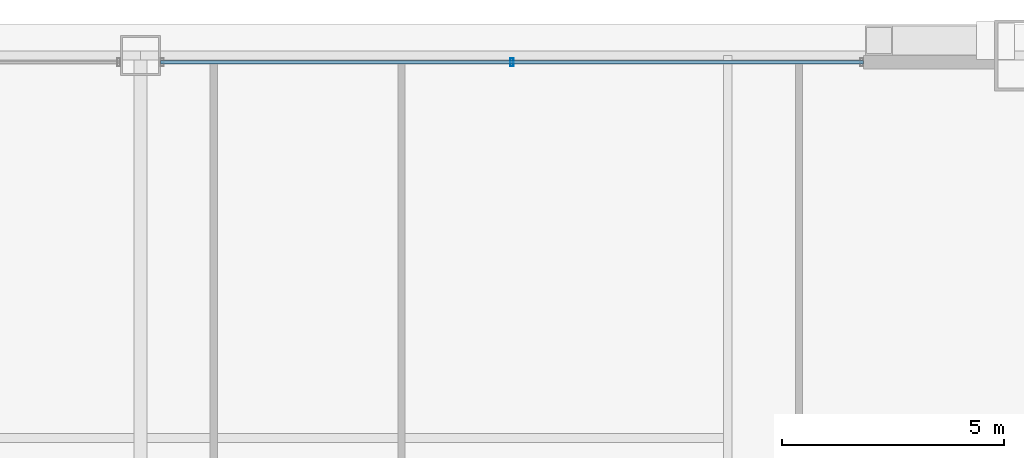
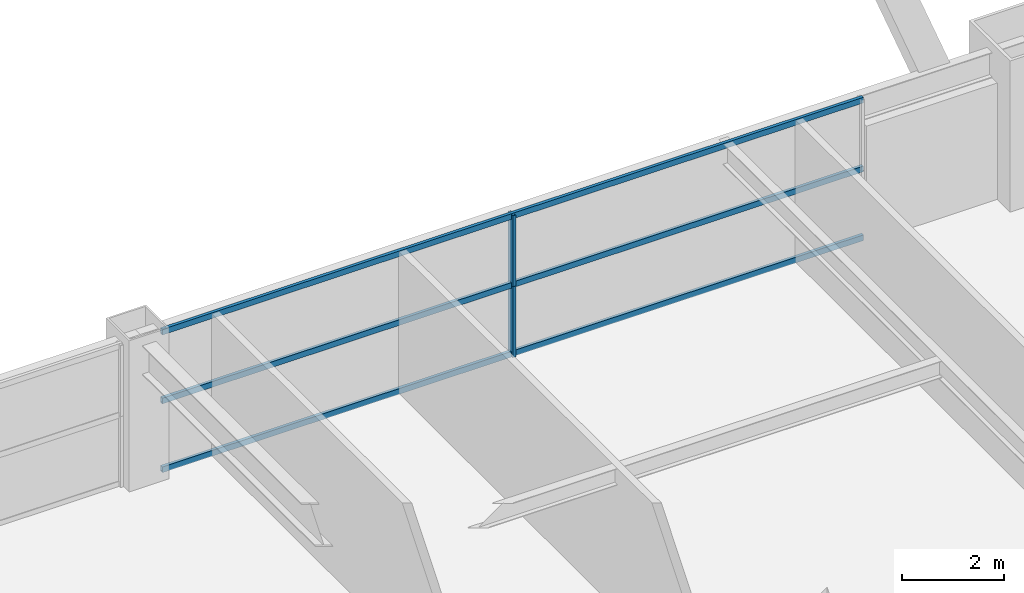
# One storey, part 33 of 41: 5 members, 1 element without a shape of its own.
"""IFC4 building model written with IfcOpenShell, lengths in metres."""

from ifc_helpers import new_model, si_unit, direction, frame, origin, origin_2d, place, context, subcontext, project, spatial, hollow_rectangle, extrude, source, transform, mapped, material, layer, layer_set, material_profile, profile_set, type_object, element, aggregate, save


model = new_model("IFC4")

# Units and contexts
model_context = context("Model", 3, precision=1e-05, world=origin(), true_north=direction((0.0, 1.0)))
body_context = subcontext(model_context, "Body", "Model", "MODEL_VIEW")
ifc_project = project(units=[si_unit("LENGTHUNIT", "METRE"), si_unit("AREAUNIT", "SQUARE_METRE"), si_unit("VOLUMEUNIT", "CUBIC_METRE"), si_unit("PLANEANGLEUNIT", "RADIAN"), si_unit("MASSUNIT", "GRAM", prefix="KILO"), si_unit("THERMODYNAMICTEMPERATUREUNIT", "KELVIN"), si_unit("POWERUNIT", "WATT")], contexts=[model_context])

# Site, building, storey
site_placement = place(None, origin())
site = spatial("IfcSite", under=ifc_project, at=site_placement, CompositionType="ELEMENT")
building_placement = place(site_placement, origin())
building = spatial("IfcBuilding", under=site, at=building_placement, Name="Yuzanri Waterfront Tower", CompositionType="ELEMENT")
storey_placement = place(building_placement, frame((0.0, 0.0, 152.39990234375)))
storey = spatial("IfcBuildingStorey", under=building, at=storey_placement, Name="L40", CompositionType="ELEMENT", Elevation=152.39990234375)

# Curtain wall, members
ifc_material_1 = material(Name="Anodized Architectural Bronze", Category="metal")
ifc_layer = layer(ifc_material_1, 0.159912109375)
ifc_layer_set = layer_set([ifc_layer], Name="Anodized Architectural Bronze")
curtain_wall_type = type_object("IfcCurtainWallType", Name="Anodized Bronze Hotel Upper-Tier Solar-Control Unitized Curtain Wall 7800", PredefinedType="NOTDEFINED", material=ifc_layer_set)
curtain_wall_placement = place(storey_placement, origin())
curtain_wall = element("IfcCurtainWall", 1, at=curtain_wall_placement, inside=storey, type_object=curtain_wall_type, Name="L40 Curtain Wall CW-L40-NR", PredefinedType="NOTDEFINED")
ifc_material_2 = material(Name="Anodized Architectural Bronze", Category="metal")
ifc_material_profile_1 = material_profile(ifc_material_2, hollow_rectangle(XDim=0.070068359375, YDim=0.179931640625, WallThickness=0.00390625, at=origin_2d()), Name="CWM 70x180")
ifc_profile_set_1 = profile_set([ifc_material_profile_1], Name="Anodized Architectural Bronze")
member_type_1 = type_object("IfcMemberType", Name="Anodized Bronze Standard Curtain-Wall Mullion 70x180", PredefinedType="MULLION", material=ifc_profile_set_1)
shared_shape_1 = source(origin(), body_context, "Body", "SweptSolid", [
    extrude(hollow_rectangle(XDim=0.070068359375, YDim=0.179931640625, WallThickness=0.00390625, at=origin_2d()), origin(), (0.0, 0.0, 1.0), 1.68798828125),
])
member_1_placement = place(storey_placement, frame((45.35009765625, 49.25, 0.0), z_axis=(0.0, 0.0, 1.0), x_axis=(1.0, 0.0, 0.0)))
member_1 = element("IfcMember", 2, at=member_1_placement, type_object=member_type_1, Name="CW-L40-NR Lower Mullion 01", PredefinedType="MULLION", context=body_context, shape_type="MappedRepresentation", body=[
    mapped(shared_shape_1, transform((0.0, 0.0, 0.0), scale=1.0)),
])
member_2_placement = place(storey_placement, frame((45.35009765625, 49.25, 1.692138671875), z_axis=(0.0, 0.0, 1.0), x_axis=(1.0, 0.0, 0.0)))
member_2 = element("IfcMember", 3, at=member_2_placement, type_object=member_type_1, Name="CW-L40-NR Upper Mullion 01", PredefinedType="MULLION", context=body_context, shape_type="MappedRepresentation", body=[
    mapped(shared_shape_1, transform((0.0, 0.0, 0.0), scale=1.0)),
])
ifc_material_3 = material(Name="Anodized Architectural Bronze", Category="metal")
ifc_material_profile_2 = material_profile(ifc_material_3, hollow_rectangle(XDim=0.070068359375, YDim=0.135009765625, WallThickness=0.00341796875, at=origin_2d()), Name="CWT 70x135")
ifc_profile_set_2 = profile_set([ifc_material_profile_2], Name="Anodized Architectural Bronze")
member_type_2 = type_object("IfcMemberType", Name="Anodized Bronze Standard Curtain-Wall Transom 70x135", PredefinedType="USERDEFINED", material=ifc_profile_set_2)
shared_shape_2 = source(origin(), body_context, "Body", "SweptSolid", [
    extrude(hollow_rectangle(XDim=0.070068359375, YDim=0.135009765625, WallThickness=0.00341796875, at=origin_2d()), origin(), (0.0, 0.0, 1.0), 15.800048828125),
])
member_3_placement = place(storey_placement, frame((37.449951171875, 49.25, 0.050048828125), z_axis=(1.0, 0.0, 0.0), x_axis=(0.0, 1.0, 0.0)))
member_3 = element("IfcMember", 4, at=member_3_placement, type_object=member_type_2, Name="CW-L40-NR Transom 1", ObjectType="TRANSOM", PredefinedType="USERDEFINED", context=body_context, shape_type="MappedRepresentation", body=[
    mapped(shared_shape_2, transform((0.0, 0.0, 0.0), scale=1.0)),
])
member_4_placement = place(storey_placement, frame((37.449951171875, 49.25, 1.690185546875), z_axis=(1.0, 0.0, 0.0), x_axis=(0.0, 1.0, 0.0)))
member_4 = element("IfcMember", 5, at=member_4_placement, type_object=member_type_2, Name="CW-L40-NR Transom 2", ObjectType="TRANSOM", PredefinedType="USERDEFINED", context=body_context, shape_type="MappedRepresentation", body=[
    mapped(shared_shape_2, transform((0.0, 0.0, 0.0), scale=1.0)),
])
member_5_placement = place(storey_placement, frame((37.449951171875, 49.25, 3.330078125), z_axis=(1.0, 0.0, 0.0), x_axis=(0.0, 1.0, 0.0)))
member_5 = element("IfcMember", 6, at=member_5_placement, type_object=member_type_2, Name="CW-L40-NR Transom 3", ObjectType="TRANSOM", PredefinedType="USERDEFINED", context=body_context, shape_type="MappedRepresentation", body=[
    mapped(shared_shape_2, transform((0.0, 0.0, 0.0), scale=1.0)),
])
aggregate(curtain_wall, [member_1, member_2, member_3, member_4, member_5])

save(model, "model.ifc")
